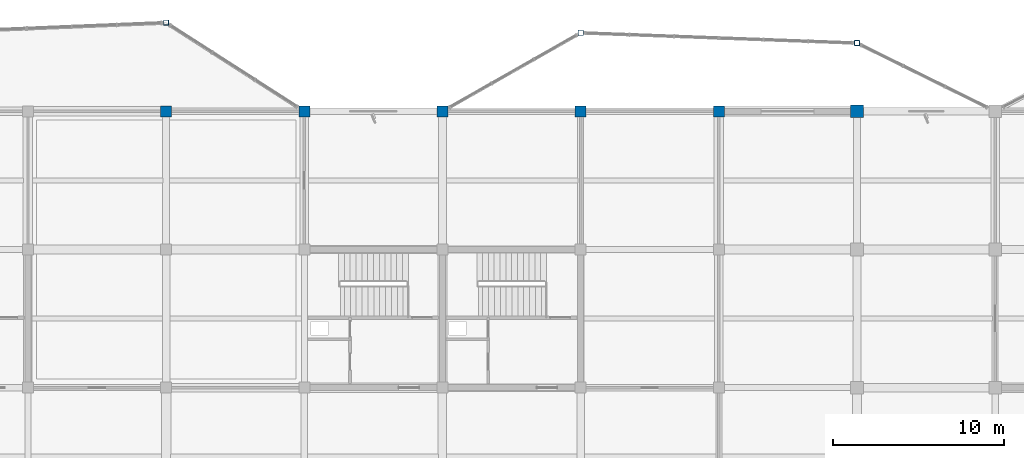
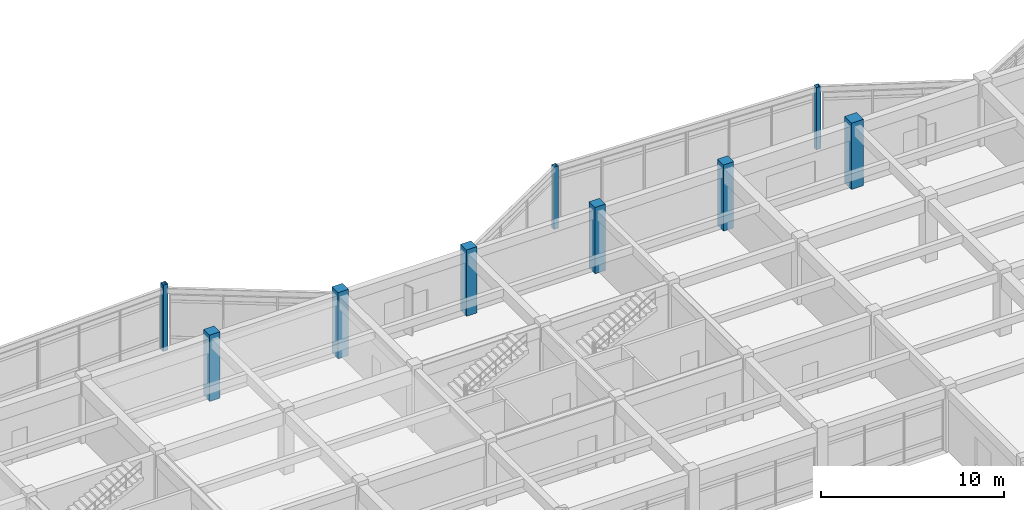
# One storey, part 19 of 89: 9 columns.
"""IFC4 building model written with IfcOpenShell, lengths in metres."""

from ifc_helpers import new_model, si_unit, direction, frame, origin, origin_2d, place, context, subcontext, project, spatial, rectangle, hollow_rectangle, extrude, material, material_profile, profile_set, type_object, element, save


model = new_model("IFC4")

# Units and contexts
model_context = context("Model", 3, precision=1e-05, world=origin(), true_north=direction((0.0, 1.0)))
body_context = subcontext(model_context, "Body", "Model", "MODEL_VIEW")
ifc_project = project(units=[si_unit("LENGTHUNIT", "METRE"), si_unit("AREAUNIT", "SQUARE_METRE"), si_unit("VOLUMEUNIT", "CUBIC_METRE"), si_unit("PLANEANGLEUNIT", "RADIAN"), si_unit("MASSUNIT", "GRAM", prefix="KILO")], contexts=[model_context])

# Site, building, storey
site_placement = place(None, origin())
site = spatial("IfcSite", under=ifc_project, at=site_placement, CompositionType="ELEMENT")
building_placement = place(site_placement, origin())
building = spatial("IfcBuilding", under=site, at=building_placement, Name="Vaudrelin Polytechnic", CompositionType="ELEMENT")
storey_placement = place(building_placement, frame((0.0, 0.0, 9.68994140625)))
storey = spatial("IfcBuildingStorey", under=building, at=storey_placement, Name="L02", CompositionType="ELEMENT", Elevation=9.68994140625)

# Columns
ifc_material_1 = material(Name="Steel CSA G40.21 350WT", Category="steel")
ifc_material_profile_1 = material_profile(ifc_material_1, hollow_rectangle(XDim=0.304931640625, YDim=0.304931640625, WallThickness=0.0126953125, InnerFilletRadius=0.0126953125, OuterFilletRadius=0.025390625, at=origin_2d()), Name="HSS305x305x12.7")
ifc_profile_set_1 = profile_set([ifc_material_profile_1], Name="Steel CSA G40.21 350WT")
column_type_1 = type_object("IfcColumnType", Name="COL-C-HSS305", PredefinedType="COLUMN", material=ifc_profile_set_1)
column_1_placement = place(storey_placement, frame((97.199951171875, 126.699951171875, 0.0), z_axis=(0.0, 0.0, 1.0), x_axis=(1.0, 0.0, 0.0)))
element("IfcColumn", 1, at=column_1_placement, inside=storey, type_object=column_type_1, Name="Deconstructivist column L02 N_OR2_2", PredefinedType="COLUMN", context=body_context, shape_type="SweptSolid", body=[
    extrude(hollow_rectangle(XDim=0.304931640625, YDim=0.304931640625, WallThickness=0.0126953125, InnerFilletRadius=0.0126953125, OuterFilletRadius=0.025390625, at=origin_2d()), origin(), (0.0, 0.0, 1.0), 4.420166015625),
])
for number, where, z_axis, x_axis, name in (
    (2, (121.5, 126.10009765625, 0.0), (0.0, 0.0, 1.0), (1.0, 0.0, 0.0), "Deconstructivist column L02 N_OR3_1"),
    (3, (137.699951171875, 125.5, 0.0), (0.0, 0.0, 1.0), (1.0, 0.0, 0.0), "Deconstructivist column L02 N_OR3_2"),
):
    element("IfcColumn", number, at=place(storey_placement, frame(where, z_axis=z_axis, x_axis=x_axis)), inside=storey, type_object=column_type_1, Name=name, PredefinedType="COLUMN", context=body_context, shape_type="SweptSolid", body=[
        extrude(hollow_rectangle(XDim=0.304931640625, YDim=0.304931640625, WallThickness=0.0126953125, InnerFilletRadius=0.0126953125, OuterFilletRadius=0.025390625, at=origin_2d()), origin(), (0.0, 0.0, 1.0), 4.14013671875),
    ])
ifc_material_2 = material(Name="Concrete 40 MPa", Category="concrete")
ifc_material_profile_2 = material_profile(ifc_material_2, rectangle(XDim=0.64990234375, YDim=0.64990234375, at=origin_2d()), Name="RC650x650")
ifc_profile_set_2 = profile_set([ifc_material_profile_2], Name="Concrete 40 MPa")
column_type_2 = type_object("IfcColumnType", Name="COL-C-RC650", PredefinedType="COLUMN", material=ifc_profile_set_2)
for number, where, z_axis, x_axis, name in (
    (4, (97.199951171875, 121.5, 0.0), (0.0, 0.0, 1.0), (1.0, 0.0, 0.0), "Column L02 13-16"),
    (5, (105.300048828125, 121.5, 0.0), (0.0, 0.0, 1.0), (1.0, 0.0, 0.0), "Column L02 14-16"),
    (6, (113.39990234375, 121.5, 0.0), (0.0, 0.0, 1.0), (1.0, 0.0, 0.0), "Column L02 15-16"),
    (7, (121.5, 121.5, 0.0), (0.0, 0.0, 1.0), (1.0, 0.0, 0.0), "Column L02 16-16"),
    (8, (129.60009765625, 121.5, 0.0), (0.0, 0.0, 1.0), (1.0, 0.0, 0.0), "Column L02 17-16"),
):
    element("IfcColumn", number, at=place(storey_placement, frame(where, z_axis=z_axis, x_axis=x_axis)), inside=storey, type_object=column_type_2, Name=name, PredefinedType="COLUMN", context=body_context, shape_type="SweptSolid", body=[
        extrude(rectangle(XDim=0.64990234375, YDim=0.64990234375, at=origin_2d()), origin(), (0.0, 0.0, 1.0), 4.420166015625),
    ])
ifc_material_3 = material(Name="Concrete 50 MPa", Category="concrete")
ifc_material_profile_3 = material_profile(ifc_material_3, rectangle(XDim=0.75, YDim=0.75, at=origin_2d()), Name="RC750x750")
ifc_profile_set_3 = profile_set([ifc_material_profile_3], Name="Concrete 50 MPa")
column_type_3 = type_object("IfcColumnType", Name="COL-C-RC750", PredefinedType="COLUMN", material=ifc_profile_set_3)
column_2_placement = place(storey_placement, frame((137.699951171875, 121.5, 0.0), z_axis=(0.0, 0.0, 1.0), x_axis=(1.0, 0.0, 0.0)))
element("IfcColumn", 9, at=column_2_placement, inside=storey, type_object=column_type_3, Name="Column L02 18-16", PredefinedType="COLUMN", context=body_context, shape_type="SweptSolid", body=[
    extrude(rectangle(XDim=0.75, YDim=0.75, at=origin_2d()), origin(), (0.0, 0.0, 1.0), 4.420166015625),
])

save(model, "model.ifc")
